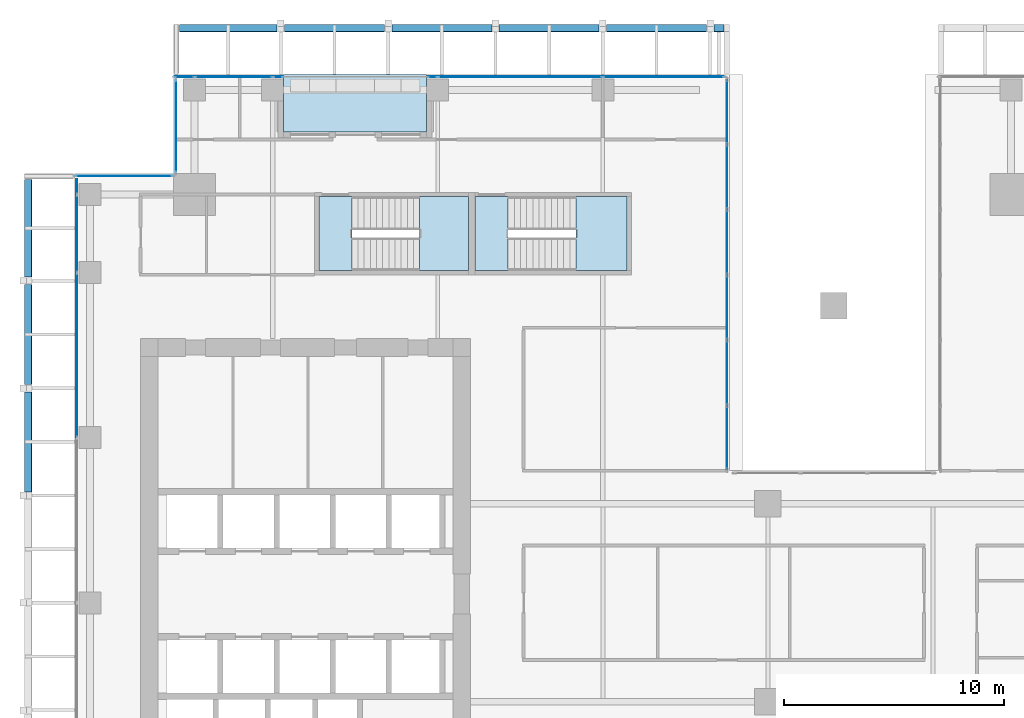
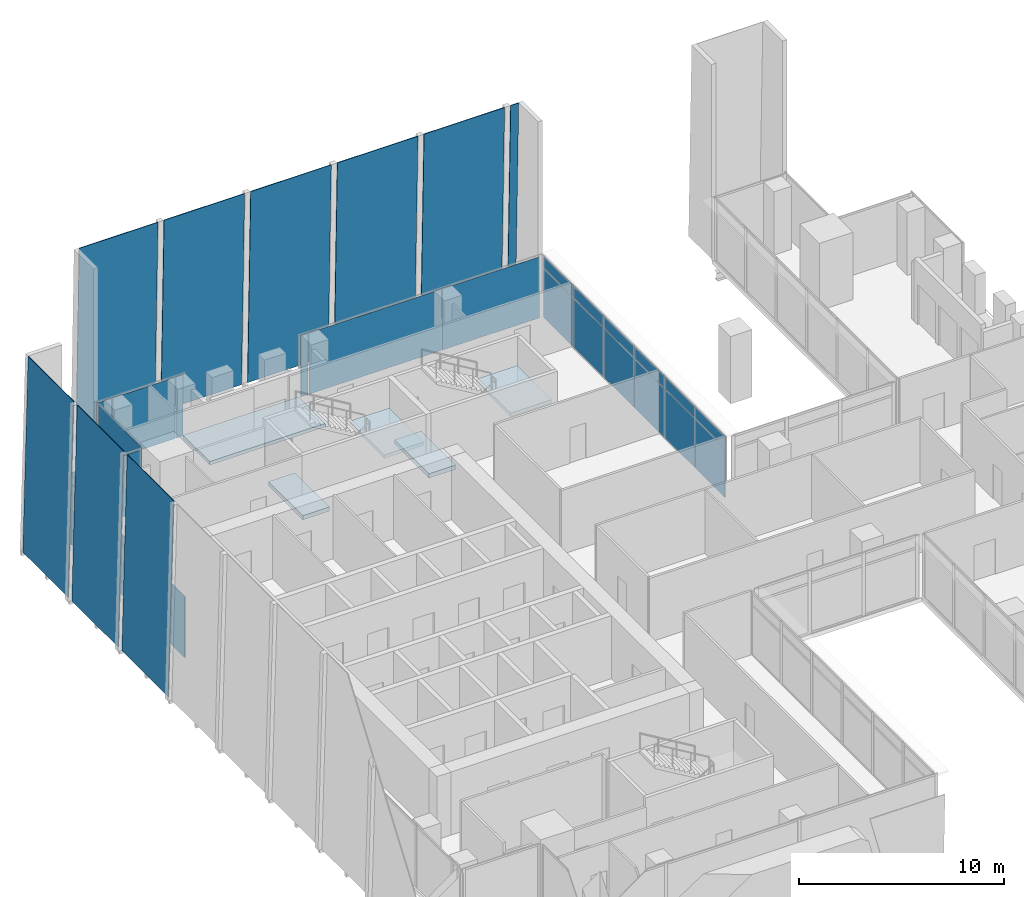
# One storey, part 31 of 40: 32 plates, 5 slabs, 8 elements without a shape of their own.
"""IFC4 building model written with IfcOpenShell, lengths in metres."""

import ifcopenshell
import ifcopenshell.guid

model = None  # the IFC model being written
_history = None  # IfcOwnerHistory: only IFC2X3 demands one
_inside = {}  # id of a spatial element -> (the spatial element, [elements in it])
_under = {}  # id of a project, library or spatial element -> (it, [spatial elements below it])
_declared = {}  # id of a project -> (the project, [libraries it declares])
_typed = {}  # id of a type object -> (the type object, [elements of that type])
_made_of = {}  # id of a material, layer set ... -> (it, [elements and type objects made of it])


def new_model(schema):
    """Start an empty IFC model of exactly this schema.

    Asked for "IFC4X3", IfcOpenShell would pick the latest addendum, in which some entities
    have other attributes; the version numbers below select the first issue.
    IFC2X3 requires an IfcOwnerHistory on every rooted entity: one is made here for all.
    """
    global model, _history
    if schema == "IFC4X3":
        model = ifcopenshell.file(schema_version=(4, 3, 0, 0))
    else:
        model = ifcopenshell.file(schema=schema)
    _inside.clear()
    _under.clear()
    _declared.clear()
    _typed.clear()
    _made_of.clear()
    _history = None
    if model.schema == "IFC2X3":
        org = make("IfcOrganization", Name="unknown")
        user = make(
            "IfcPersonAndOrganization",
            ThePerson=make("IfcPerson", FamilyName="unknown"),
            TheOrganization=org,
        )
        app = make(
            "IfcApplication",
            ApplicationDeveloper=org,
            Version="unknown",
            ApplicationFullName="unknown",
            ApplicationIdentifier="unknown",
        )
        _history = make(
            "IfcOwnerHistory",
            OwningUser=user,
            OwningApplication=app,
            ChangeAction="ADDED",
            CreationDate=0,
        )
    return model


def make(cls, **values):
    """One entity of the class cls with the attributes given. An attribute that is None is left unset."""
    return model.create_entity(
        cls, **{name: value for name, value in values.items() if value is not None}
    )


def rooted(cls, **values):
    """An entity with a GlobalId (a new one), such as an element, a storey or a relation."""
    return make(cls, GlobalId=ifcopenshell.guid.new(), OwnerHistory=_history, **values)


def si_unit(unit_type, name, prefix=None):
    """IfcSIUnit, for example si_unit("LENGTHUNIT", "METRE", prefix="MILLI")."""
    return make("IfcSIUnit", UnitType=unit_type, Prefix=prefix, Name=name)


def assignment(units):
    """IfcUnitAssignment: the units of a project."""
    return None if units is None else make("IfcUnitAssignment", Units=units)


def point(xyz):
    """IfcCartesianPoint."""
    return None if xyz is None else make("IfcCartesianPoint", Coordinates=xyz)


def direction(xyz):
    """IfcDirection."""
    return None if xyz is None else make("IfcDirection", DirectionRatios=xyz)


def frame(location, z_axis=None, x_axis=None):
    """IfcAxis2Placement3D, a coordinate frame: its origin and axes. An axis left out is left unset."""
    return make(
        "IfcAxis2Placement3D",
        Location=point(location),
        Axis=direction(z_axis),
        RefDirection=direction(x_axis),
    )


def frame_2d(location, x_axis=None):
    """IfcAxis2Placement2D, a coordinate frame in the plane: its origin and x axis."""
    return make(
        "IfcAxis2Placement2D", Location=point(location), RefDirection=direction(x_axis)
    )


def origin():
    """The frame at (0, 0, 0) with its axes left unset."""
    return frame((0.0, 0.0, 0.0))


def origin_2d():
    """The frame at (0, 0) in the plane with its x axis left unset."""
    return frame_2d((0.0, 0.0))


def place(relative_to, where):
    """IfcLocalPlacement: puts the frame where relative to a parent placement (None: the world)."""
    return make(
        "IfcLocalPlacement", PlacementRelTo=relative_to, RelativePlacement=where
    )


def context(
    kind, dimensions, precision=None, world=None, true_north=None, identifier=None
):
    """IfcGeometricRepresentationContext, for example the 3D "Model" context."""
    return make(
        "IfcGeometricRepresentationContext",
        ContextIdentifier=identifier,
        ContextType=kind,
        CoordinateSpaceDimension=dimensions,
        Precision=precision,
        WorldCoordinateSystem=world,
        TrueNorth=true_north,
    )


def subcontext(parent, identifier, kind, view, scale=None):
    """IfcGeometricRepresentationSubContext, for example "Body" below "Model"."""
    return make(
        "IfcGeometricRepresentationSubContext",
        ContextIdentifier=identifier,
        ContextType=kind,
        ParentContext=parent,
        TargetScale=scale,
        TargetView=view,
    )


def project(units=None, contexts=None):
    """IfcProject with its units and contexts."""
    return rooted(
        "IfcProject",
        Name="project",
        RepresentationContexts=contexts,
        UnitsInContext=assignment(units),
    )


def spatial(cls, under=None, at=None, **own):
    """A site, building, storey or space (cls), placed at a placement, below another one or the project."""
    s = rooted(cls, ObjectPlacement=at, **own)
    if under is not None:
        _under.setdefault(under.id(), (under, []))[1].append(s)
    return s


def polyline(points):
    """IfcPolyline through the points."""
    return make("IfcPolyline", Points=[point(p) for p in points])


def profile(cls, at=None, kind="AREA", **sizes):
    """A parametric profile (cls). Its sizes go by their IFC names, for example OverallWidth=200.0."""
    return make(cls, ProfileType=kind, Position=at, **sizes)


def rectangle(**sizes):
    """IfcRectangleProfileDef."""
    return profile("IfcRectangleProfileDef", **sizes)


def outline(outer, holes=None, kind="AREA"):
    """IfcArbitraryClosedProfileDef: a profile drawn as a closed curve; with holes, ...WithVoids."""
    if holes is None:
        return make("IfcArbitraryClosedProfileDef", ProfileType=kind, OuterCurve=outer)
    return make(
        "IfcArbitraryProfileDefWithVoids",
        ProfileType=kind,
        OuterCurve=outer,
        InnerCurves=holes,
    )


def extrude(swept, where, along, depth):
    """IfcExtrudedAreaSolid: the profile swept, set in the frame where, extruded along a direction by depth."""
    return make(
        "IfcExtrudedAreaSolid",
        SweptArea=swept,
        Position=where,
        ExtrudedDirection=direction(along),
        Depth=depth,
    )


def shape(context_of_items, identifier, shape_type, items):
    """IfcShapeRepresentation: the items that make up one representation, for example the "Body"."""
    return make(
        "IfcShapeRepresentation",
        ContextOfItems=context_of_items,
        RepresentationIdentifier=identifier,
        RepresentationType=shape_type,
        Items=items,
    )


def source(mapping_origin, context_of_items, identifier, shape_type, items):
    """IfcRepresentationMap: a shape defined once, which mapped items show again and again."""
    return make(
        "IfcRepresentationMap",
        MappingOrigin=mapping_origin,
        MappedRepresentation=shape(context_of_items, identifier, shape_type, items),
    )


def transform(
    local_origin,
    x_axis=None,
    y_axis=None,
    z_axis=None,
    scale=None,
    scale2=None,
    scale3=None,
    uniform=True,
):
    """IfcCartesianTransformationOperator3D, or its non-uniform kind. x_axis, y_axis, z_axis: its Axis1, 2, 3."""
    if uniform:
        return make(
            "IfcCartesianTransformationOperator3D",
            Axis1=direction(x_axis),
            Axis2=direction(y_axis),
            LocalOrigin=point(local_origin),
            Scale=scale,
            Axis3=direction(z_axis),
        )
    return make(
        "IfcCartesianTransformationOperator3DnonUniform",
        Axis1=direction(x_axis),
        Axis2=direction(y_axis),
        LocalOrigin=point(local_origin),
        Scale=scale,
        Axis3=direction(z_axis),
        Scale2=scale2,
        Scale3=scale3,
    )


def mapped(mapping_source, mapping_target):
    """IfcMappedItem: shows the shape of a source again, moved by a transform."""
    return make(
        "IfcMappedItem", MappingSource=mapping_source, MappingTarget=mapping_target
    )


def material(Name=None, Category=None):
    """IfcMaterial."""
    return make("IfcMaterial", Name=Name, Category=Category)


def layer(
    of_material, thickness, ventilated=None, Name=None, Category=None, Priority=None
):
    """IfcMaterialLayer: one layer of a wall or slab, of a material (None: an air gap)."""
    return make(
        "IfcMaterialLayer",
        Material=of_material,
        LayerThickness=thickness,
        IsVentilated=ventilated,
        Name=Name,
        Category=Category,
        Priority=Priority,
    )


def layer_set(layers, Name=None):
    """IfcMaterialLayerSet."""
    return make("IfcMaterialLayerSet", MaterialLayers=layers, LayerSetName=Name)


def made_of(thing, what):
    """Note that an element or type object is made of a material, layer set ...; save() writes the relation."""
    if what is not None:
        _made_of.setdefault(what.id(), (what, []))[1].append(thing)
    return thing


def type_object(cls, material=None, **own):
    """A type object (cls), such as IfcWallType, which elements share."""
    return made_of(rooted(cls, **own), material)


def element(
    cls,
    number,
    at=None,
    inside=None,
    cuts=None,
    type_object=None,
    material=None,
    context=None,
    identifier="Body",
    shape_type=None,
    held_by="IfcProductDefinitionShape",
    body=None,
    shapes=None,
    **own,
):
    """One element of the class cls, such as IfcWall. Its Tag is "e" and its number.

    at: its placement. inside: the storey or other place that contains it. cuts: it is an
    opening in that element (IfcRelVoidsElement). A single representation is given by context,
    identifier, shape_type and body (its items); several are given by shapes. held_by: the class
    of the entity that holds the representations. save() writes the other relations.
    """
    e = rooted(cls, Tag="e%d" % number, ObjectPlacement=at, **own)
    if body is not None:
        shapes = [shape(context, identifier, shape_type, body)]
    if shapes is not None:
        e.Representation = make(held_by, Representations=shapes)
    if inside is not None:
        _inside.setdefault(inside.id(), (inside, []))[1].append(e)
    if cuts is not None:
        rooted(
            "IfcRelVoidsElement", RelatingBuildingElement=cuts, RelatedOpeningElement=e
        )
    if type_object is not None:
        _typed.setdefault(type_object.id(), (type_object, []))[1].append(e)
    return made_of(e, material)


def aggregate(whole, parts):
    """IfcRelAggregates: a whole, such as a stair, and the parts it consists of."""
    return rooted("IfcRelAggregates", RelatingObject=whole, RelatedObjects=parts)


def save(model, path):
    """Write the relations noted so far, then the file.

    IfcRelAggregates (storeys below a building ...), IfcRelContainedInSpatialStructure (elements
    in a storey), IfcRelDefinesByType, IfcRelAssociatesMaterial and IfcRelDeclares: one each for
    every whole, place, type object, material and project.
    """
    for whole, parts in _under.values():
        aggregate(whole, parts)
    for where, things in _inside.values():
        rooted(
            "IfcRelContainedInSpatialStructure",
            RelatedElements=things,
            RelatingStructure=where,
        )
    for kind, things in _typed.values():
        rooted("IfcRelDefinesByType", RelatedObjects=things, RelatingType=kind)
    for what, things in _made_of.values():
        rooted("IfcRelAssociatesMaterial", RelatedObjects=things, RelatingMaterial=what)
    for by, libraries in _declared.values():
        rooted("IfcRelDeclares", RelatingContext=by, RelatedDefinitions=libraries)
    model.write(path)


model = new_model("IFC4")

# Units and contexts
model_context = context("Model", 3, precision=1e-05, world=origin(), true_north=direction((0.0, 1.0)))
body_context = subcontext(model_context, "Body", "Model", "MODEL_VIEW")
ifc_project = project(units=[si_unit("LENGTHUNIT", "METRE"), si_unit("AREAUNIT", "SQUARE_METRE"), si_unit("VOLUMEUNIT", "CUBIC_METRE"), si_unit("PLANEANGLEUNIT", "RADIAN"), si_unit("MASSUNIT", "GRAM", prefix="KILO")], contexts=[model_context])

# Site, building, storey
site_placement = place(None, origin())
site = spatial("IfcSite", under=ifc_project, at=site_placement, CompositionType="ELEMENT")
building_placement = place(site_placement, origin())
building = spatial("IfcBuilding", under=site, at=building_placement, Name="Khomas Fold Tower", CompositionType="ELEMENT")
storey_placement = place(building_placement, frame((0.0, 0.0, 176.699951171875)))
storey = spatial("IfcBuildingStorey", under=building, at=storey_placement, Name="L38", CompositionType="ELEMENT", Elevation=176.699951171875)

# Plates
ifc_material_1 = material(Name="Clear laminated glass", Category="glass")
ifc_layer_1 = layer(ifc_material_1, 0.0400390625)
ifc_layer_set_1 = layer_set([ifc_layer_1], Name="Clear laminated glass")
plate_type_1 = type_object("IfcPlateType", Name="SK-Clear laminated glass leaf", PredefinedType="SHEET", material=ifc_layer_set_1)
plate_1_placement = place(storey_placement, frame((7.77001953125, 53.270751953125, 0.0009765625), z_axis=(0.0, 0.999657230839, 0.026180543005), x_axis=(1.0, 0.0, 0.0)))
element("IfcPlate", 1, at=plate_1_placement, inside=storey, type_object=plate_type_1, Name="OUTER SKIN glass L38 N1", PredefinedType="SHEET", context=body_context, shape_type="SweptSolid", body=[
    extrude(outline(polyline([(0.0, 0.0), (4.43505859375, 0.0), (4.43505859375, -11.554009186164079), (0.0, -11.554009186164079), (0.0, 0.0)])), origin(), (0.0, 0.0, -1.0), 0.0400390625),
])
for number, where, z_axis, x_axis, name in (
    (2, (12.544921875, 53.270751953125, 0.0009765625), (0.0, 0.999657230839, 0.026180543005), (1.0, 0.0, 0.0), "OUTER SKIN glass L38 N3"),
    (3, (17.419921875, 53.270751953125, 0.0009765625), (0.0, 0.999657230839, 0.026180543005), (1.0, 0.0, 0.0), "OUTER SKIN glass L38 N5"),
    (4, (22.294921875, 53.270751953125, 0.0009765625), (0.0, 0.999657230839, 0.026180543005), (1.0, 0.0, 0.0), "OUTER SKIN glass L38 N7"),
    (5, (27.169921875, 53.270751953125, 0.0009765625), (0.0, 0.999657230839, 0.026180543005), (1.0, 0.0, 0.0), "OUTER SKIN glass L38 N9"),
):
    element("IfcPlate", number, at=place(storey_placement, frame(where, z_axis=z_axis, x_axis=x_axis)), inside=storey, type_object=plate_type_1, Name=name, PredefinedType="SHEET", context=body_context, shape_type="SweptSolid", body=[
        extrude(outline(polyline([(0.0, 0.0), (4.53515625, 0.0), (4.53515625, -11.554009186164079), (0.0, -11.554009186164079), (0.0, 0.0)])), origin(), (0.0, 0.0, -1.0), 0.0400390625),
    ])
plate_2_placement = place(storey_placement, frame((32.044921875, 53.270751953125, 0.0009765625), z_axis=(0.0, 0.999657230839, 0.026180543005), x_axis=(1.0, 0.0, 0.0)))
element("IfcPlate", 6, at=plate_2_placement, inside=storey, type_object=plate_type_1, Name="OUTER SKIN glass L38 N11", PredefinedType="SHEET", context=body_context, shape_type="SweptSolid", body=[
    extrude(outline(polyline([(0.0, 0.0), (0.455078125, 0.0), (0.455078125, -11.554009186164079), (0.0, -11.554009186164079), (0.0, 0.0)])), origin(), (0.0, 0.0, -1.0), 0.0400390625),
])
for number, where, z_axis, x_axis, name in (
    (7, (0.729248046875, 32.044921875, 0.0009765625), (-0.999657230839, 0.0, 0.026180543005), (0.0, 1.0, 0.0), "OUTER SKIN glass L38 W11"),
    (8, (0.729248046875, 36.919921875, 0.0009765625), (-0.999657230839, 0.0, 0.026180543005), (0.0, 1.0, 0.0), "OUTER SKIN glass L38 W13"),
):
    element("IfcPlate", number, at=place(storey_placement, frame(where, z_axis=z_axis, x_axis=x_axis)), inside=storey, type_object=plate_type_1, Name=name, PredefinedType="SHEET", context=body_context, shape_type="SweptSolid", body=[
        extrude(outline(polyline([(0.0, 0.0), (4.53515625, 0.0), (4.53515625, -11.554009186164079), (0.0, -11.554009186164079), (0.0, 0.0)])), origin(), (0.0, 0.0, -1.0), 0.0400390625),
    ])
plate_3_placement = place(storey_placement, frame((0.729248046875, 41.794921875, 0.0009765625), z_axis=(-0.999657230839, 0.0, 0.026180543005), x_axis=(0.0, 1.0, 0.0)))
element("IfcPlate", 9, at=plate_3_placement, inside=storey, type_object=plate_type_1, Name="OUTER SKIN glass L38 W15", PredefinedType="SHEET", context=body_context, shape_type="SweptSolid", body=[
    extrude(outline(polyline([(0.0, 0.0), (4.43505859375, 0.0), (4.43505859375, -11.554009186164079), (0.0, -11.554009186164079), (0.0, 0.0)])), origin(), (0.0, 0.0, -1.0), 0.0400390625),
])

# Curtain wall, plate
ifc_material_2 = material(Name="Aluminium framed double glazing", Category="aluminium")
curtain_wall_type_1 = type_object("IfcCurtainWallType", Name="SK-Unitised clear-glass wall, office floors CW2", PredefinedType="NOTDEFINED", material=ifc_material_2)
curtain_wall_1_placement = place(storey_placement, origin())
curtain_wall_1 = element("IfcCurtainWall", 10, at=curtain_wall_1_placement, inside=storey, type_object=curtain_wall_type_1, Name="CW2 corner return L38 17", PredefinedType="NOTDEFINED")
ifc_material_3 = material(Name="Clear double glazed unit")
ifc_layer_2 = layer(ifc_material_3, 0.030029296875)
ifc_layer_set_2 = layer_set([ifc_layer_2], Name="Clear double glazed unit")
plate_type_2 = type_object("IfcPlateType", Name="SK-Unitised clear-glass wall, office floors glass panel CW2-P", PredefinedType="CURTAIN_PANEL", material=ifc_layer_set_2)
shared_shape_1 = source(origin(), body_context, "Body", "SweptSolid", [
    extrude(rectangle(XDim=4.3798828125, YDim=0.030029296875, at=origin_2d()), origin(), (0.0, 0.0, 1.0), 3.639892578125),
])
plate_4_placement = place(storey_placement, frame((5.25, 46.39990234375, 0.0), z_axis=(0.0, 0.0, 1.0), x_axis=(-1.0, 0.0, 0.0)))
plate_4 = element("IfcPlate", 11, at=plate_4_placement, type_object=plate_type_2, Name="CW2 glass panel 1", PredefinedType="CURTAIN_PANEL", context=body_context, shape_type="MappedRepresentation", body=[
    mapped(shared_shape_1, transform((0.0, 0.0, 0.0))),
])
aggregate(curtain_wall_1, [plate_4])

curtain_wall_2_placement = place(storey_placement, origin())
curtain_wall_2 = element("IfcCurtainWall", 12, at=curtain_wall_2_placement, inside=storey, type_object=curtain_wall_type_1, Name="CW2 run L38 18-0", PredefinedType="NOTDEFINED")
shared_shape_2 = source(origin(), body_context, "Body", "SweptSolid", [
    extrude(rectangle(XDim=0.659912109375, YDim=0.030029296875, at=origin_2d()), origin(), (0.0, 0.0, 1.0), 3.639892578125),
])
plate_5_placement = place(storey_placement, frame((3.10009765625, 45.909912109375, 0.0), z_axis=(0.0, 0.0, 1.0), x_axis=(0.0, -1.0, 0.0)))
plate_5 = element("IfcPlate", 13, at=plate_5_placement, type_object=plate_type_2, Name="CW2 glass panel 1", PredefinedType="CURTAIN_PANEL", context=body_context, shape_type="MappedRepresentation", body=[
    mapped(shared_shape_2, transform((0.0, 0.0, 0.0))),
])

curtain_wall_3_placement = place(storey_placement, origin())
curtain_wall_3 = element("IfcCurtainWall", 14, at=curtain_wall_3_placement, inside=storey, type_object=curtain_wall_type_1, Name="CW2 run L38 15-1", PredefinedType="NOTDEFINED")
shared_shape_3 = source(origin(), body_context, "Body", "SweptSolid", [
    extrude(rectangle(XDim=3.489990234375, YDim=0.030029296875, at=origin_2d()), origin(), (0.0, 0.0, 1.0), 3.639892578125),
])
plate_6_placement = place(storey_placement, frame((10.22509765625, 50.89990234375, 0.0), z_axis=(0.0, 0.0, 1.0), x_axis=(-1.0, 0.0, 0.0)))
plate_6 = element("IfcPlate", 15, at=plate_6_placement, type_object=plate_type_2, Name="CW2 glass panel 2", PredefinedType="CURTAIN_PANEL", context=body_context, shape_type="MappedRepresentation", body=[
    mapped(shared_shape_3, transform((0.0, 0.0, 0.0))),
])

# Plate
plate_7_placement = place(storey_placement, frame((3.10009765625, 43.77490234375, 0.0), z_axis=(0.0, 0.0, 1.0), x_axis=(0.0, -1.0, 0.0)))
plate_7 = element("IfcPlate", 16, at=plate_7_placement, type_object=plate_type_2, Name="CW2 glass panel 2", PredefinedType="CURTAIN_PANEL", context=body_context, shape_type="MappedRepresentation", body=[
    mapped(shared_shape_3, transform((0.0, 0.0, 0.0))),
])

# Curtain wall, plate
curtain_wall_4_placement = place(storey_placement, origin())
curtain_wall_4 = element("IfcCurtainWall", 17, at=curtain_wall_4_placement, inside=storey, type_object=curtain_wall_type_1, Name="CW2 run L38 15-0", PredefinedType="NOTDEFINED")
shared_shape_4 = source(origin(), body_context, "Body", "SweptSolid", [
    extrude(rectangle(XDim=7.43994140625, YDim=0.030029296875, at=origin_2d()), origin(), (0.0, 0.0, 1.0), 3.639892578125),
])
plate_8_placement = place(storey_placement, frame((23.25, 50.89990234375, 0.0), z_axis=(0.0, 0.0, 1.0), x_axis=(-1.0, 0.0, 0.0)))
plate_8 = element("IfcPlate", 18, at=plate_8_placement, type_object=plate_type_2, Name="CW2 glass panel 2", PredefinedType="CURTAIN_PANEL", context=body_context, shape_type="MappedRepresentation", body=[
    mapped(shared_shape_4, transform((0.0, 0.0, 0.0))),
])

# Plate
plate_9_placement = place(storey_placement, frame((3.10009765625, 38.25, 0.0), z_axis=(0.0, 0.0, 1.0), x_axis=(0.0, -1.0, 0.0)))
plate_9 = element("IfcPlate", 19, at=plate_9_placement, type_object=plate_type_2, Name="CW2 glass panel 3", PredefinedType="CURTAIN_PANEL", context=body_context, shape_type="MappedRepresentation", body=[
    mapped(shared_shape_4, transform((0.0, 0.0, 0.0))),
])

aggregate(curtain_wall_2, [plate_5, plate_7, plate_9])

# Curtain wall, plate
curtain_wall_5_placement = place(storey_placement, origin())
curtain_wall_5 = element("IfcCurtainWall", 20, at=curtain_wall_5_placement, inside=storey, type_object=curtain_wall_type_1, Name="CW2 corner return L38 16", PredefinedType="NOTDEFINED")
shared_shape_5 = source(origin(), body_context, "Body", "SweptSolid", [
    extrude(rectangle(XDim=4.179931640625, YDim=0.030029296875, at=origin_2d()), origin(), (0.0, 0.0, 1.0), 3.639892578125),
])
plate_10_placement = place(storey_placement, frame((7.60009765625, 48.64990234375, 0.0), z_axis=(0.0, 0.0, 1.0), x_axis=(0.0, -1.0, 0.0)))
plate_10 = element("IfcPlate", 21, at=plate_10_placement, type_object=plate_type_2, Name="CW2 glass panel 1", PredefinedType="CURTAIN_PANEL", context=body_context, shape_type="MappedRepresentation", body=[
    mapped(shared_shape_5, transform((0.0, 0.0, 0.0))),
])
aggregate(curtain_wall_5, [plate_10])

# Plate
shared_shape_6 = source(origin(), body_context, "Body", "SweptSolid", [
    extrude(rectangle(XDim=0.409912109375, YDim=0.030029296875, at=origin_2d()), origin(), (0.0, 0.0, 1.0), 3.639892578125),
])
plate_11_placement = place(storey_placement, frame((19.264892578125, 50.89990234375, 0.0), z_axis=(0.0, 0.0, 1.0), x_axis=(-1.0, 0.0, 0.0)))
plate_11 = element("IfcPlate", 22, at=plate_11_placement, type_object=plate_type_2, Name="CW2 glass panel 3", PredefinedType="CURTAIN_PANEL", context=body_context, shape_type="MappedRepresentation", body=[
    mapped(shared_shape_6, transform((0.0, 0.0, 0.0))),
])

plate_12_placement = place(storey_placement, frame((12.235107421875, 50.89990234375, 0.0), z_axis=(0.0, 0.0, 1.0), x_axis=(-1.0, 0.0, 0.0)))
plate_12 = element("IfcPlate", 23, at=plate_12_placement, type_object=plate_type_2, Name="CW2 glass panel 1", PredefinedType="CURTAIN_PANEL", context=body_context, shape_type="MappedRepresentation", body=[
    mapped(shared_shape_6, transform((0.0, 0.0, 0.0))),
])

shared_shape_7 = source(origin(), body_context, "Body", "SweptSolid", [
    extrude(rectangle(XDim=0.860107421875, YDim=0.030029296875, at=origin_2d()), origin(), (0.0, 0.0, 1.0), 3.639892578125),
])
plate_13_placement = place(storey_placement, frame((7.989990234375, 50.89990234375, 0.0), z_axis=(0.0, 0.0, 1.0), x_axis=(-1.0, 0.0, 0.0)))
plate_13 = element("IfcPlate", 24, at=plate_13_placement, type_object=plate_type_2, Name="CW2 glass panel 3", PredefinedType="CURTAIN_PANEL", context=body_context, shape_type="MappedRepresentation", body=[
    mapped(shared_shape_7, transform((0.0, 0.0, 0.0))),
])

aggregate(curtain_wall_3, [plate_12, plate_6, plate_13])

shared_shape_8 = source(origin(), body_context, "Body", "SweptSolid", [
    extrude(rectangle(XDim=5.4599609375, YDim=0.030029296875, at=origin_2d()), origin(), (0.0, 0.0, 1.0), 3.639892578125),
])
plate_14_placement = place(storey_placement, frame((29.760009765625, 50.89990234375, 0.0), z_axis=(0.0, 0.0, 1.0), x_axis=(-1.0, 0.0, 0.0)))
plate_14 = element("IfcPlate", 25, at=plate_14_placement, type_object=plate_type_2, Name="CW2 glass panel 1", PredefinedType="CURTAIN_PANEL", context=body_context, shape_type="MappedRepresentation", body=[
    mapped(shared_shape_8, transform((0.0, 0.0, 0.0))),
])

aggregate(curtain_wall_4, [plate_14, plate_8, plate_11])

# Slab
ifc_material_4 = material(Name="Concrete C40/50", Category="concrete")
ifc_layer_3 = layer(ifc_material_4, 0.205078125)
ifc_layer_set_3 = layer_set([ifc_layer_3], Name="Concrete C40/50")
slab_type_1 = type_object("IfcSlabType", Name="BL-Balcony deck 205", PredefinedType="FLOOR", material=ifc_layer_set_3)
shared_shape_9 = source(origin(), body_context, "Body", "SweptSolid", [
    extrude(outline(polyline([(12.5, 48.39990234375), (19.0, 48.39990234375), (19.0, 51.0), (12.5, 51.0), (12.5, 48.39990234375)])), origin(), (0.0, 0.0, 1.0), 0.205078125),
])
slab_1_placement = place(storey_placement, frame((0.0, 0.0, -0.25)))
element("IfcSlab", 26, at=slab_1_placement, inside=storey, type_object=slab_type_1, Name="Balcony deck BAL-L38-N1", PredefinedType="FLOOR", context=body_context, shape_type="MappedRepresentation", body=[
    mapped(shared_shape_9, transform((0.0, 0.0, 0.0))),
])

# Curtain wall, plates
ifc_material_5 = material(Name="Aluminium framed double glazing", Category="aluminium")
curtain_wall_type_2 = type_object("IfcCurtainWallType", Name="Notch glazing GN-CW", PredefinedType="NOTDEFINED", material=ifc_material_5)
curtain_wall_6_placement = place(storey_placement, origin())
curtain_wall_6 = element("IfcCurtainWall", 27, at=curtain_wall_6_placement, inside=storey, type_object=curtain_wall_type_2, Name="Notch glazing run", PredefinedType="NOTDEFINED")
ifc_material_6 = material(Name="Double glazed unit")
ifc_layer_4 = layer(ifc_material_6, 0.031982421875)
ifc_layer_set_4 = layer_set([ifc_layer_4], Name="Double glazed unit")
plate_type_3 = type_object("IfcPlateType", Name="Notch glazing panel GN-CW-P", PredefinedType="CURTAIN_PANEL", material=ifc_layer_set_4)
shared_shape_10 = source(origin(), body_context, "Body", "SweptSolid", [
    extrude(rectangle(XDim=2.876708984375, YDim=0.031982421875, at=origin_2d()), origin(), (0.0, 0.0, 1.0), 2.909912109375),
])
plate_15_placement = place(storey_placement, frame((32.64990234375, 34.498291015625, 0.06005859375), z_axis=(0.0, 0.0, 1.0), x_axis=(0.0, 1.0, 0.0)))
plate_15 = element("IfcPlate", 28, at=plate_15_placement, type_object=plate_type_3, Name="GN-CW panel 1.1", PredefinedType="CURTAIN_PANEL", context=body_context, shape_type="MappedRepresentation", body=[
    mapped(shared_shape_10, transform((0.0, 0.0, 0.0))),
])
plate_16_placement = place(storey_placement, frame((32.64990234375, 49.3017578125, 0.06005859375), z_axis=(0.0, 0.0, 1.0), x_axis=(0.0, 1.0, 0.0)))
plate_16 = element("IfcPlate", 29, at=plate_16_placement, type_object=plate_type_3, Name="GN-CW panel 6.1", PredefinedType="CURTAIN_PANEL", context=body_context, shape_type="MappedRepresentation", body=[
    mapped(shared_shape_10, transform((0.0, 0.0, 0.0))),
])
shared_shape_11 = source(origin(), body_context, "Body", "SweptSolid", [
    extrude(rectangle(XDim=2.90673828125, YDim=0.031982421875, at=origin_2d()), origin(), (0.0, 0.0, 1.0), 2.909912109375),
])
plate_17_placement = place(storey_placement, frame((32.64990234375, 37.449951171875, 0.06005859375), z_axis=(0.0, 0.0, 1.0), x_axis=(0.0, 1.0, 0.0)))
plate_17 = element("IfcPlate", 30, at=plate_17_placement, type_object=plate_type_3, Name="GN-CW panel 2.1", PredefinedType="CURTAIN_PANEL", context=body_context, shape_type="MappedRepresentation", body=[
    mapped(shared_shape_11, transform((0.0, 0.0, 0.0))),
])
plate_18_placement = place(storey_placement, frame((32.64990234375, 40.416748046875, 0.06005859375), z_axis=(0.0, 0.0, 1.0), x_axis=(0.0, 1.0, 0.0)))
plate_18 = element("IfcPlate", 31, at=plate_18_placement, type_object=plate_type_3, Name="GN-CW panel 3.1", PredefinedType="CURTAIN_PANEL", context=body_context, shape_type="MappedRepresentation", body=[
    mapped(shared_shape_11, transform((0.0, 0.0, 0.0))),
])
plate_19_placement = place(storey_placement, frame((32.64990234375, 43.38330078125, 0.06005859375), z_axis=(0.0, 0.0, 1.0), x_axis=(0.0, 1.0, 0.0)))
plate_19 = element("IfcPlate", 32, at=plate_19_placement, type_object=plate_type_3, Name="GN-CW panel 4.1", PredefinedType="CURTAIN_PANEL", context=body_context, shape_type="MappedRepresentation", body=[
    mapped(shared_shape_11, transform((0.0, 0.0, 0.0))),
])
plate_20_placement = place(storey_placement, frame((32.64990234375, 46.35009765625, 0.06005859375), z_axis=(0.0, 0.0, 1.0), x_axis=(0.0, 1.0, 0.0)))
plate_20 = element("IfcPlate", 33, at=plate_20_placement, type_object=plate_type_3, Name="GN-CW panel 5.1", PredefinedType="CURTAIN_PANEL", context=body_context, shape_type="MappedRepresentation", body=[
    mapped(shared_shape_11, transform((0.0, 0.0, 0.0))),
])
shared_shape_12 = source(origin(), body_context, "Body", "SweptSolid", [
    extrude(rectangle(XDim=2.876708984375, YDim=0.031982421875, at=origin_2d()), origin(), (0.0, 0.0, 1.0), 0.659912109375),
])
plate_21_placement = place(storey_placement, frame((32.64990234375, 34.498291015625, 3.0302734375), z_axis=(0.0, 0.0, 1.0), x_axis=(0.0, 1.0, 0.0)))
plate_21 = element("IfcPlate", 34, at=plate_21_placement, type_object=plate_type_3, Name="GN-CW panel 1.2", PredefinedType="CURTAIN_PANEL", context=body_context, shape_type="MappedRepresentation", body=[
    mapped(shared_shape_12, transform((0.0, 0.0, 0.0))),
])
plate_22_placement = place(storey_placement, frame((32.64990234375, 49.3017578125, 3.0302734375), z_axis=(0.0, 0.0, 1.0), x_axis=(0.0, 1.0, 0.0)))
plate_22 = element("IfcPlate", 35, at=plate_22_placement, type_object=plate_type_3, Name="GN-CW panel 6.2", PredefinedType="CURTAIN_PANEL", context=body_context, shape_type="MappedRepresentation", body=[
    mapped(shared_shape_12, transform((0.0, 0.0, 0.0))),
])
shared_shape_13 = source(origin(), body_context, "Body", "SweptSolid", [
    extrude(rectangle(XDim=2.90673828125, YDim=0.031982421875, at=origin_2d()), origin(), (0.0, 0.0, 1.0), 0.659912109375),
])
plate_23_placement = place(storey_placement, frame((32.64990234375, 37.449951171875, 3.0302734375), z_axis=(0.0, 0.0, 1.0), x_axis=(0.0, 1.0, 0.0)))
plate_23 = element("IfcPlate", 36, at=plate_23_placement, type_object=plate_type_3, Name="GN-CW panel 2.2", PredefinedType="CURTAIN_PANEL", context=body_context, shape_type="MappedRepresentation", body=[
    mapped(shared_shape_13, transform((0.0, 0.0, 0.0))),
])
plate_24_placement = place(storey_placement, frame((32.64990234375, 40.416748046875, 3.0302734375), z_axis=(0.0, 0.0, 1.0), x_axis=(0.0, 1.0, 0.0)))
plate_24 = element("IfcPlate", 37, at=plate_24_placement, type_object=plate_type_3, Name="GN-CW panel 3.2", PredefinedType="CURTAIN_PANEL", context=body_context, shape_type="MappedRepresentation", body=[
    mapped(shared_shape_13, transform((0.0, 0.0, 0.0))),
])
plate_25_placement = place(storey_placement, frame((32.64990234375, 43.38330078125, 3.0302734375), z_axis=(0.0, 0.0, 1.0), x_axis=(0.0, 1.0, 0.0)))
plate_25 = element("IfcPlate", 38, at=plate_25_placement, type_object=plate_type_3, Name="GN-CW panel 4.2", PredefinedType="CURTAIN_PANEL", context=body_context, shape_type="MappedRepresentation", body=[
    mapped(shared_shape_13, transform((0.0, 0.0, 0.0))),
])
plate_26_placement = place(storey_placement, frame((32.64990234375, 46.35009765625, 3.0302734375), z_axis=(0.0, 0.0, 1.0), x_axis=(0.0, 1.0, 0.0)))
plate_26 = element("IfcPlate", 39, at=plate_26_placement, type_object=plate_type_3, Name="GN-CW panel 5.2", PredefinedType="CURTAIN_PANEL", context=body_context, shape_type="MappedRepresentation", body=[
    mapped(shared_shape_13, transform((0.0, 0.0, 0.0))),
])
aggregate(curtain_wall_6, [plate_15, plate_21, plate_17, plate_23, plate_18, plate_24, plate_19, plate_25, plate_20, plate_26, plate_16, plate_22])

# Stair, slab
ifc_material_7 = material(Name="Concrete C40/50", Category="concrete")
stair_type_1 = type_object("IfcStairType", Name="Stair ST1", PredefinedType="HALF_TURN_STAIR", material=ifc_material_7)
stair_1_placement = place(storey_placement, origin())
stair_1 = element("IfcStair", 40, at=stair_1_placement, inside=storey, type_object=stair_type_1, Name="L38 ST1", PredefinedType="HALF_TURN_STAIR")
ifc_material_8 = material(Name="Concrete C40/50", Category="concrete")
ifc_layer_5 = layer(ifc_material_8, 0.199951171875)
ifc_layer_set_5 = layer_set([ifc_layer_5], Name="Concrete C40/50")
slab_type_2 = type_object("IfcSlabType", Name="Stair landing 200", PredefinedType="LANDING", material=ifc_layer_set_5)
shared_shape_14 = source(origin(), body_context, "Body", "SweptSolid", [
    extrude(outline(polyline([(18.679931640625, 42.10009765625), (20.89990234375, 42.10009765625), (20.89990234375, 45.449951171875), (18.679931640625, 45.449951171875), (18.679931640625, 42.10009765625)])), origin(), (0.0, 0.0, 1.0), 0.199951171875),
])
slab_2_placement = place(storey_placement, frame((0.0, 0.0, 1.800048828125)))
slab_2 = element("IfcSlab", 41, at=slab_2_placement, type_object=slab_type_2, Name="ST1 landing 1", PredefinedType="LANDING", context=body_context, shape_type="MappedRepresentation", body=[
    mapped(shared_shape_14, transform((0.0, 0.0, 0.0))),
])
aggregate(stair_1, [slab_2])

# Slab
ifc_material_9 = material(Name="Concrete C40/50", Category="concrete")
ifc_layer_6 = layer(ifc_material_9, 0.25)
ifc_layer_set_6 = layer_set([ifc_layer_6], Name="Concrete C40/50")
slab_type_3 = type_object("IfcSlabType", Name="Stair floor landing 250", PredefinedType="LANDING", material=ifc_layer_set_6)
shared_shape_15 = source(origin(), body_context, "Body", "SweptSolid", [
    extrude(outline(polyline([(15.60009765625, 42.10009765625), (14.10009765625, 42.10009765625), (14.10009765625, 45.449951171875), (15.60009765625, 45.449951171875), (15.60009765625, 42.10009765625)])), origin(), (0.0, 0.0, 1.0), 0.25),
])
slab_3_placement = place(storey_placement, frame((0.0, 0.0, -0.25)))
element("IfcSlab", 42, at=slab_3_placement, inside=storey, type_object=slab_type_3, Name="ST1 floor landing", PredefinedType="LANDING", context=body_context, shape_type="MappedRepresentation", body=[
    mapped(shared_shape_15, transform((0.0, 0.0, 0.0))),
])

# Stair, slab
ifc_material_10 = material(Name="Concrete C40/50", Category="concrete")
stair_type_2 = type_object("IfcStairType", Name="Stair ST3", PredefinedType="HALF_TURN_STAIR", material=ifc_material_10)
stair_2_placement = place(storey_placement, origin())
stair_2 = element("IfcStair", 43, at=stair_2_placement, inside=storey, type_object=stair_type_2, Name="L38 ST3", PredefinedType="HALF_TURN_STAIR")
shared_shape_16 = source(origin(), body_context, "Body", "SweptSolid", [
    extrude(outline(polyline([(25.780029296875, 42.10009765625), (28.10009765625, 42.10009765625), (28.10009765625, 45.449951171875), (25.780029296875, 45.449951171875), (25.780029296875, 42.10009765625)])), origin(), (0.0, 0.0, 1.0), 0.199951171875),
])
slab_4_placement = place(storey_placement, frame((0.0, 0.0, 1.800048828125)))
slab_4 = element("IfcSlab", 44, at=slab_4_placement, type_object=slab_type_2, Name="ST3 landing 1", PredefinedType="LANDING", context=body_context, shape_type="MappedRepresentation", body=[
    mapped(shared_shape_16, transform((0.0, 0.0, 0.0))),
])
aggregate(stair_2, [slab_4])

# Slab
shared_shape_17 = source(origin(), body_context, "Body", "SweptSolid", [
    extrude(outline(polyline([(22.699951171875, 42.10009765625), (21.199951171875, 42.10009765625), (21.199951171875, 45.449951171875), (22.699951171875, 45.449951171875), (22.699951171875, 42.10009765625)])), origin(), (0.0, 0.0, 1.0), 0.25),
])
slab_5_placement = place(storey_placement, frame((0.0, 0.0, -0.25)))
element("IfcSlab", 45, at=slab_5_placement, inside=storey, type_object=slab_type_3, Name="ST3 floor landing", PredefinedType="LANDING", context=body_context, shape_type="MappedRepresentation", body=[
    mapped(shared_shape_17, transform((0.0, 0.0, 0.0))),
])

save(model, "model.ifc")
